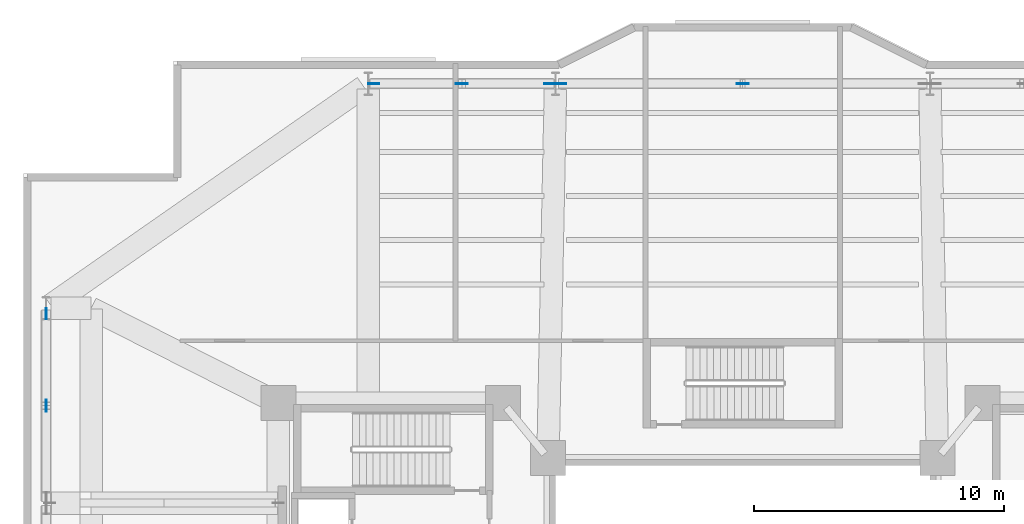
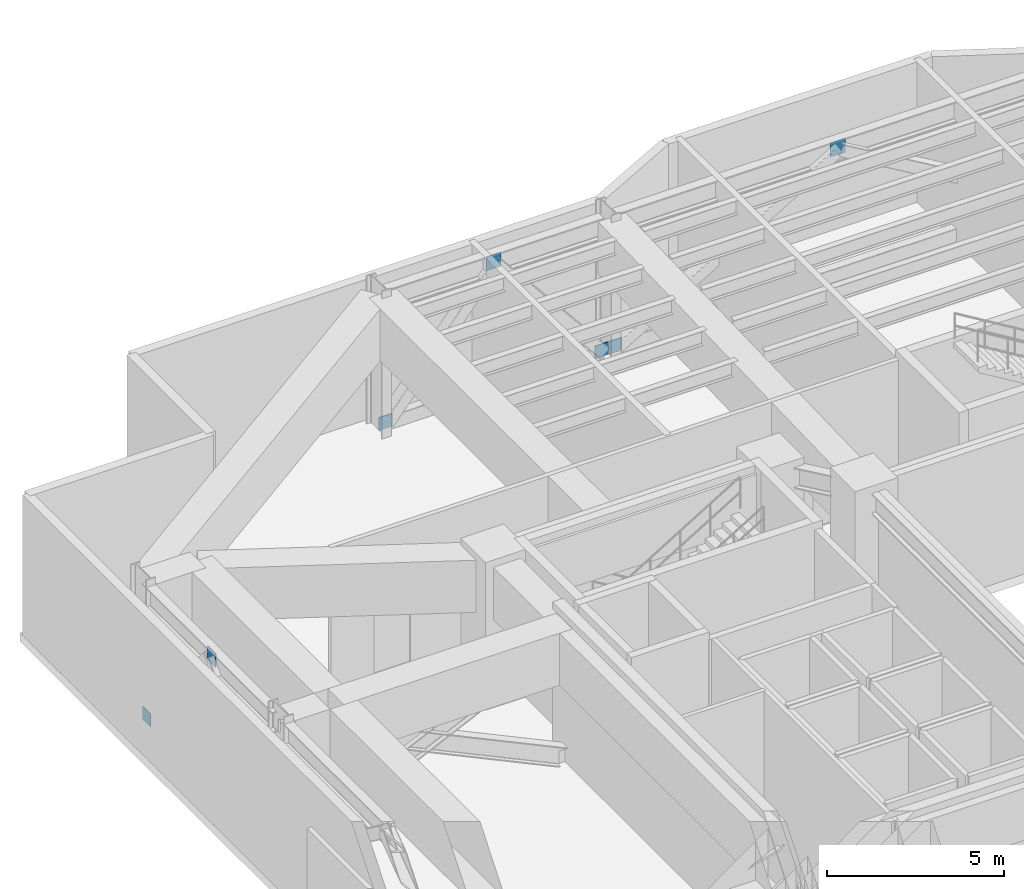
# One storey, part 6 of 12: 7 plates.
"""IFC4 building model written with IfcOpenShell, lengths in metres."""

import ifcopenshell
import ifcopenshell.guid

model = None  # the IFC model being written
_history = None  # IfcOwnerHistory: only IFC2X3 demands one
_inside = {}  # id of a spatial element -> (the spatial element, [elements in it])
_under = {}  # id of a project, library or spatial element -> (it, [spatial elements below it])
_declared = {}  # id of a project -> (the project, [libraries it declares])
_typed = {}  # id of a type object -> (the type object, [elements of that type])
_made_of = {}  # id of a material, layer set ... -> (it, [elements and type objects made of it])


def new_model(schema):
    """Start an empty IFC model of exactly this schema.

    Asked for "IFC4X3", IfcOpenShell would pick the latest addendum, in which some entities
    have other attributes; the version numbers below select the first issue.
    IFC2X3 requires an IfcOwnerHistory on every rooted entity: one is made here for all.
    """
    global model, _history
    if schema == "IFC4X3":
        model = ifcopenshell.file(schema_version=(4, 3, 0, 0))
    else:
        model = ifcopenshell.file(schema=schema)
    _inside.clear()
    _under.clear()
    _declared.clear()
    _typed.clear()
    _made_of.clear()
    _history = None
    if model.schema == "IFC2X3":
        org = make("IfcOrganization", Name="unknown")
        user = make(
            "IfcPersonAndOrganization",
            ThePerson=make("IfcPerson", FamilyName="unknown"),
            TheOrganization=org,
        )
        app = make(
            "IfcApplication",
            ApplicationDeveloper=org,
            Version="unknown",
            ApplicationFullName="unknown",
            ApplicationIdentifier="unknown",
        )
        _history = make(
            "IfcOwnerHistory",
            OwningUser=user,
            OwningApplication=app,
            ChangeAction="ADDED",
            CreationDate=0,
        )
    return model


def make(cls, **values):
    """One entity of the class cls with the attributes given. An attribute that is None is left unset."""
    return model.create_entity(
        cls, **{name: value for name, value in values.items() if value is not None}
    )


def rooted(cls, **values):
    """An entity with a GlobalId (a new one), such as an element, a storey or a relation."""
    return make(cls, GlobalId=ifcopenshell.guid.new(), OwnerHistory=_history, **values)


def si_unit(unit_type, name, prefix=None):
    """IfcSIUnit, for example si_unit("LENGTHUNIT", "METRE", prefix="MILLI")."""
    return make("IfcSIUnit", UnitType=unit_type, Prefix=prefix, Name=name)


def assignment(units):
    """IfcUnitAssignment: the units of a project."""
    return None if units is None else make("IfcUnitAssignment", Units=units)


def point(xyz):
    """IfcCartesianPoint."""
    return None if xyz is None else make("IfcCartesianPoint", Coordinates=xyz)


def direction(xyz):
    """IfcDirection."""
    return None if xyz is None else make("IfcDirection", DirectionRatios=xyz)


def frame(location, z_axis=None, x_axis=None):
    """IfcAxis2Placement3D, a coordinate frame: its origin and axes. An axis left out is left unset."""
    return make(
        "IfcAxis2Placement3D",
        Location=point(location),
        Axis=direction(z_axis),
        RefDirection=direction(x_axis),
    )


def frame_2d(location, x_axis=None):
    """IfcAxis2Placement2D, a coordinate frame in the plane: its origin and x axis."""
    return make(
        "IfcAxis2Placement2D", Location=point(location), RefDirection=direction(x_axis)
    )


def origin():
    """The frame at (0, 0, 0) with its axes left unset."""
    return frame((0.0, 0.0, 0.0))


def origin_2d():
    """The frame at (0, 0) in the plane with its x axis left unset."""
    return frame_2d((0.0, 0.0))


def place(relative_to, where):
    """IfcLocalPlacement: puts the frame where relative to a parent placement (None: the world)."""
    return make(
        "IfcLocalPlacement", PlacementRelTo=relative_to, RelativePlacement=where
    )


def context(
    kind, dimensions, precision=None, world=None, true_north=None, identifier=None
):
    """IfcGeometricRepresentationContext, for example the 3D "Model" context."""
    return make(
        "IfcGeometricRepresentationContext",
        ContextIdentifier=identifier,
        ContextType=kind,
        CoordinateSpaceDimension=dimensions,
        Precision=precision,
        WorldCoordinateSystem=world,
        TrueNorth=true_north,
    )


def subcontext(parent, identifier, kind, view, scale=None):
    """IfcGeometricRepresentationSubContext, for example "Body" below "Model"."""
    return make(
        "IfcGeometricRepresentationSubContext",
        ContextIdentifier=identifier,
        ContextType=kind,
        ParentContext=parent,
        TargetScale=scale,
        TargetView=view,
    )


def project(units=None, contexts=None):
    """IfcProject with its units and contexts."""
    return rooted(
        "IfcProject",
        Name="project",
        RepresentationContexts=contexts,
        UnitsInContext=assignment(units),
    )


def spatial(cls, under=None, at=None, **own):
    """A site, building, storey or space (cls), placed at a placement, below another one or the project."""
    s = rooted(cls, ObjectPlacement=at, **own)
    if under is not None:
        _under.setdefault(under.id(), (under, []))[1].append(s)
    return s


def profile(cls, at=None, kind="AREA", **sizes):
    """A parametric profile (cls). Its sizes go by their IFC names, for example OverallWidth=200.0."""
    return make(cls, ProfileType=kind, Position=at, **sizes)


def rectangle(**sizes):
    """IfcRectangleProfileDef."""
    return profile("IfcRectangleProfileDef", **sizes)


def extrude(swept, where, along, depth):
    """IfcExtrudedAreaSolid: the profile swept, set in the frame where, extruded along a direction by depth."""
    return make(
        "IfcExtrudedAreaSolid",
        SweptArea=swept,
        Position=where,
        ExtrudedDirection=direction(along),
        Depth=depth,
    )


def shape(context_of_items, identifier, shape_type, items):
    """IfcShapeRepresentation: the items that make up one representation, for example the "Body"."""
    return make(
        "IfcShapeRepresentation",
        ContextOfItems=context_of_items,
        RepresentationIdentifier=identifier,
        RepresentationType=shape_type,
        Items=items,
    )


def material(Name=None, Category=None):
    """IfcMaterial."""
    return make("IfcMaterial", Name=Name, Category=Category)


def layer(
    of_material, thickness, ventilated=None, Name=None, Category=None, Priority=None
):
    """IfcMaterialLayer: one layer of a wall or slab, of a material (None: an air gap)."""
    return make(
        "IfcMaterialLayer",
        Material=of_material,
        LayerThickness=thickness,
        IsVentilated=ventilated,
        Name=Name,
        Category=Category,
        Priority=Priority,
    )


def layer_set(layers, Name=None):
    """IfcMaterialLayerSet."""
    return make("IfcMaterialLayerSet", MaterialLayers=layers, LayerSetName=Name)


def made_of(thing, what):
    """Note that an element or type object is made of a material, layer set ...; save() writes the relation."""
    if what is not None:
        _made_of.setdefault(what.id(), (what, []))[1].append(thing)
    return thing


def type_object(cls, material=None, **own):
    """A type object (cls), such as IfcWallType, which elements share."""
    return made_of(rooted(cls, **own), material)


def element(
    cls,
    number,
    at=None,
    inside=None,
    cuts=None,
    type_object=None,
    material=None,
    context=None,
    identifier="Body",
    shape_type=None,
    held_by="IfcProductDefinitionShape",
    body=None,
    shapes=None,
    **own,
):
    """One element of the class cls, such as IfcWall. Its Tag is "e" and its number.

    at: its placement. inside: the storey or other place that contains it. cuts: it is an
    opening in that element (IfcRelVoidsElement). A single representation is given by context,
    identifier, shape_type and body (its items); several are given by shapes. held_by: the class
    of the entity that holds the representations. save() writes the other relations.
    """
    e = rooted(cls, Tag="e%d" % number, ObjectPlacement=at, **own)
    if body is not None:
        shapes = [shape(context, identifier, shape_type, body)]
    if shapes is not None:
        e.Representation = make(held_by, Representations=shapes)
    if inside is not None:
        _inside.setdefault(inside.id(), (inside, []))[1].append(e)
    if cuts is not None:
        rooted(
            "IfcRelVoidsElement", RelatingBuildingElement=cuts, RelatedOpeningElement=e
        )
    if type_object is not None:
        _typed.setdefault(type_object.id(), (type_object, []))[1].append(e)
    return made_of(e, material)


def aggregate(whole, parts):
    """IfcRelAggregates: a whole, such as a stair, and the parts it consists of."""
    return rooted("IfcRelAggregates", RelatingObject=whole, RelatedObjects=parts)


def save(model, path):
    """Write the relations noted so far, then the file.

    IfcRelAggregates (storeys below a building ...), IfcRelContainedInSpatialStructure (elements
    in a storey), IfcRelDefinesByType, IfcRelAssociatesMaterial and IfcRelDeclares: one each for
    every whole, place, type object, material and project.
    """
    for whole, parts in _under.values():
        aggregate(whole, parts)
    for where, things in _inside.values():
        rooted(
            "IfcRelContainedInSpatialStructure",
            RelatedElements=things,
            RelatingStructure=where,
        )
    for kind, things in _typed.values():
        rooted("IfcRelDefinesByType", RelatedObjects=things, RelatingType=kind)
    for what, things in _made_of.values():
        rooted("IfcRelAssociatesMaterial", RelatedObjects=things, RelatingMaterial=what)
    for by, libraries in _declared.values():
        rooted("IfcRelDeclares", RelatingContext=by, RelatedDefinitions=libraries)
    model.write(path)


model = new_model("IFC4")

# Units and contexts
model_context = context("Model", 3, precision=1e-05, world=origin(), true_north=direction((0.0, 1.0)))
body_context = subcontext(model_context, "Body", "Model", "MODEL_VIEW")
ifc_project = project(units=[si_unit("LENGTHUNIT", "METRE"), si_unit("AREAUNIT", "SQUARE_METRE"), si_unit("VOLUMEUNIT", "CUBIC_METRE"), si_unit("PLANEANGLEUNIT", "RADIAN"), si_unit("MASSUNIT", "GRAM", prefix="KILO")], contexts=[model_context])

# Site, building, storey
site_placement = place(None, origin())
site = spatial("IfcSite", under=ifc_project, at=site_placement, CompositionType="ELEMENT")
building_placement = place(site_placement, origin())
building = spatial("IfcBuilding", under=site, at=building_placement, Name="Tarnavaz Court Tower", CompositionType="ELEMENT")
storey_placement = place(building_placement, frame((0.0, 0.0, 73.199951171875)))
storey = spatial("IfcBuildingStorey", under=building, at=storey_placement, Name="L19", CompositionType="ELEMENT", Elevation=73.199951171875)

# Plates
ifc_material = material(Name="Steel S355", Category="steel")
ifc_layer = layer(ifc_material, 0.030029296875)
ifc_layer_set = layer_set([ifc_layer], Name="Steel S355")
plate_type = type_object("IfcPlateType", Name="PL-GUSSET-30", PredefinedType="USERDEFINED", material=ifc_layer_set)
for number, where, z_axis, x_axis, name in (
    (1, (-11.25, 22.800048828125, 4.260009765625), (0.0, 0.0, 1.0), (1.0, 0.0, 0.0), "L19 Belt Truss Apex Gusset & End-Cap Plate 01"),
    (2, (0.0, 22.800048828125, 4.260009765625), (0.0, 0.0, 1.0), (1.0, 0.0, 0.0), "L19 Belt Truss Apex Gusset & End-Cap Plate 02"),
    (3, (-27.89990234375, 9.89990234375, 4.260009765625), (0.0, 0.0, 1.0), (0.0, 1.0, 0.0), "L19 Belt Truss Apex Gusset & End-Cap Plate 12"),
):
    element("IfcPlate", number, at=place(storey_placement, frame(where, z_axis=z_axis, x_axis=x_axis)), inside=storey, type_object=plate_type, Name=name, ObjectType="GUSSET PLATE", PredefinedType="USERDEFINED", context=body_context, shape_type="SweptSolid", body=[
        extrude(rectangle(XDim=0.47998046875, YDim=0.030029296875, at=origin_2d()), origin(), (0.0, 0.0, 1.0), 0.47998046875),
    ])
for number, where, z_axis, x_axis, name in (
    (4, (-14.780029296875, 22.800048828125, -0.02001953125), (0.0, 0.0, 1.0), (1.0, 0.0, 0.0), "L19 Structural Brace & Strut End Gusset Plate 001"),
    (5, (-7.719970703125, 22.800048828125, -0.02001953125), (0.0, 0.0, 1.0), (1.0, 0.0, 0.0), "L19 Structural Brace & Strut End Gusset Plate 002"),
    (6, (-7.280029296875, 22.800048828125, -0.02001953125), (0.0, 0.0, 1.0), (1.0, 0.0, 0.0), "L19 Structural Brace & Strut End Gusset Plate 003"),
    (7, (-27.89990234375, 13.580078125, -0.02001953125), (0.0, 0.0, 1.0), (0.0, 1.0, 0.0), "L19 Structural Brace & Strut End Gusset Plate 024"),
):
    element("IfcPlate", number, at=place(storey_placement, frame(where, z_axis=z_axis, x_axis=x_axis)), inside=storey, type_object=plate_type, Name=name, ObjectType="GUSSET PLATE", PredefinedType="USERDEFINED", context=body_context, shape_type="SweptSolid", body=[
        extrude(rectangle(XDim=0.43994140625, YDim=0.030029296875, at=origin_2d()), origin(), (0.0, 0.0, 1.0), 0.43994140625),
    ])

save(model, "model.ifc")
